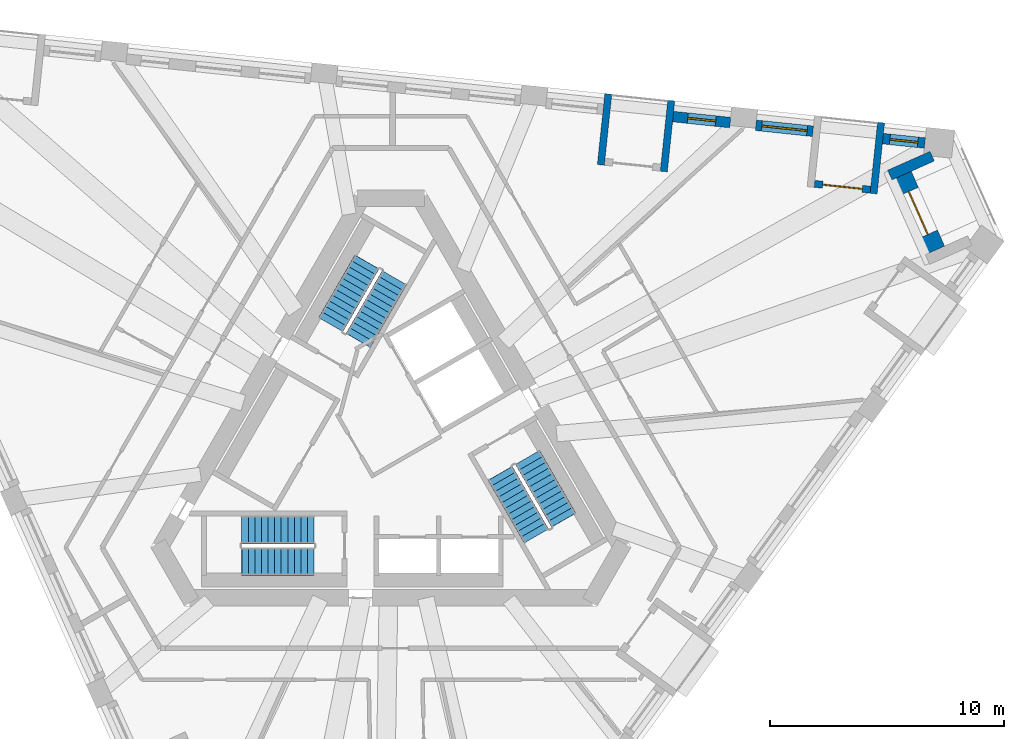
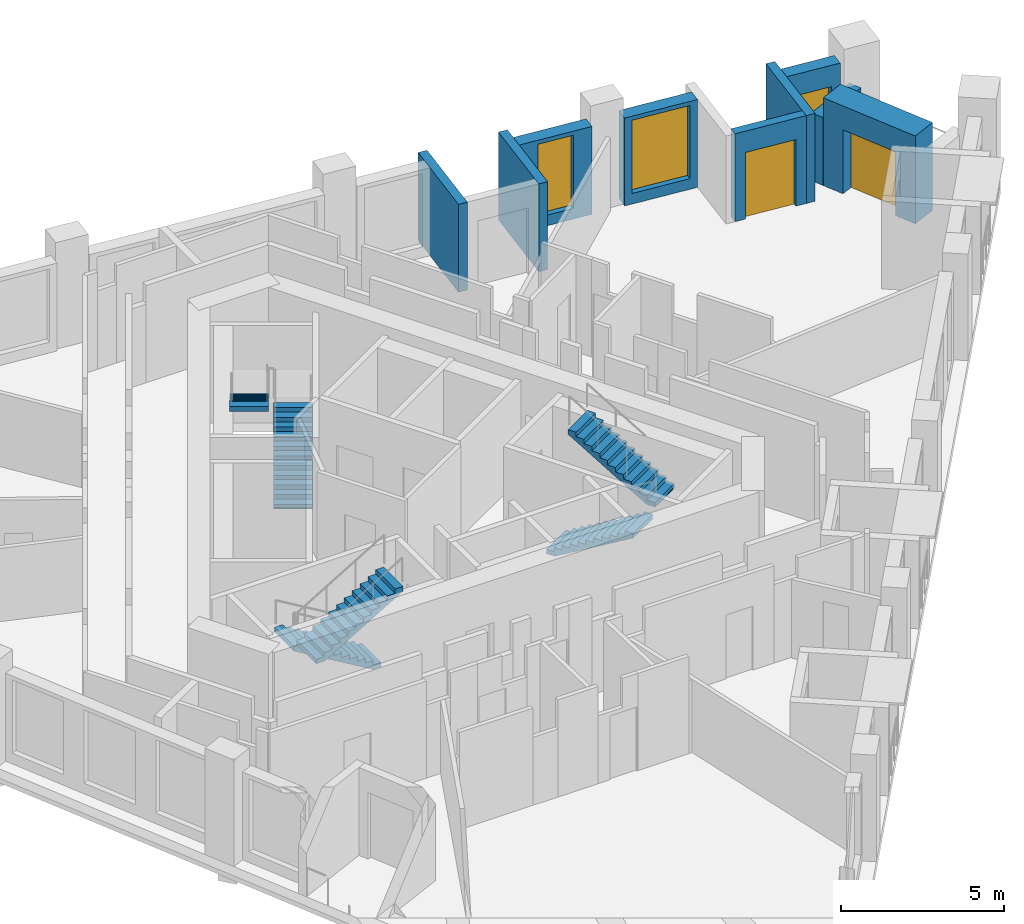
# One storey, part 8 of 11: 9 walls, 6 stair flights, 3 windows, 2 doors, 5 openings, 3 elements without a shape of their own.
"""IFC4 building model written with IfcOpenShell, lengths in metres."""

from ifc_helpers import new_model, si_unit, direction, frame, frame_2d, origin, place, context, subcontext, project, spatial, polyline, rectangle, outline, extrude, material, layer, layer_set, type_object, element, fill, aggregate, save


model = new_model("IFC4")

# Units and contexts
model_context = context("Model", 3, precision=1e-05, world=origin(), true_north=direction((0.0, 1.0)))
body_context = subcontext(model_context, "Body", "Model", "MODEL_VIEW")
ifc_project = project(units=[si_unit("LENGTHUNIT", "METRE"), si_unit("AREAUNIT", "SQUARE_METRE"), si_unit("VOLUMEUNIT", "CUBIC_METRE"), si_unit("PLANEANGLEUNIT", "RADIAN"), si_unit("MASSUNIT", "GRAM", prefix="KILO")], contexts=[model_context])

# Site, building, storey
site_placement = place(None, origin())
site = spatial("IfcSite", under=ifc_project, at=site_placement, CompositionType="ELEMENT")
building_placement = place(site_placement, origin())
building = spatial("IfcBuilding", under=site, at=building_placement, Name="Tramontana Tower", CompositionType="ELEMENT")
storey_placement = place(building_placement, frame((0.0, 0.0, 245.199951171875)))
storey = spatial("IfcBuildingStorey", under=building, at=storey_placement, Name="L57", CompositionType="ELEMENT", Elevation=245.199951171875)

# Wall, opening, window
ifc_material_1 = material(Name="Precast concrete 60 MPa", Category="concrete")
ifc_layer_1 = layer(ifc_material_1, 0.449951171875)
ifc_layer_set_1 = layer_set([ifc_layer_1], Name="Precast concrete 60 MPa, 450 mm")
wall_type_1 = type_object("IfcWallType", Name="EW1 Stone-faced precast wall 450", PredefinedType="SOLIDWALL", material=ifc_layer_set_1)
wall_1_placement = place(storey_placement, frame((22.8017578125, 13.012939453125, 0.0), z_axis=(0.0, 0.0, 1.0), x_axis=(-0.994529922737, 0.104452059724, 0.0)))
wall_1 = element("IfcWall", 1, at=wall_1_placement, inside=storey, type_object=wall_type_1, Name="External wall L57 face 2 bay 1", PredefinedType="SOLIDWALL", context=body_context, shape_type="SweptSolid", body=[
    extrude(rectangle(XDim=1.802001953125, YDim=0.449951171875, at=frame_2d((0.90087890625, 0.0))), origin(), (0.0, 0.0, 1.0), 3.300048828125),
])
opening_1_placement = place(wall_1_placement, frame((0.301025390625, 0.0, 0.39990234375)))
opening_1 = element("IfcOpeningElement", 2, at=opening_1_placement, cuts=wall_1, Name="Opening N3L", PredefinedType="OPENING", context=body_context, shape_type="SweptSolid", body=[
    extrude(rectangle(XDim=1.199951171875, YDim=2.10009765625, at=frame_2d((0.60009765625, 1.050048828125))), frame((0.0, 0.23486328125, 0.0), z_axis=(0.0, -1.0, 0.0), x_axis=(1.0, 0.0, 0.0)), (0.0, 0.0, 1.0), 0.469970703125),
])
ifc_material_2 = material(Name="Aluminum frame, double glazing unit", Category="aluminium")
window_type_1 = type_object("IfcWindowType", Name="N3L Window 1.2 x 2.1", PartitioningType="SINGLE_PANEL", PredefinedType="WINDOW", material=ifc_material_2)
window_1_placement = place(opening_1_placement, origin())
window_1 = element("IfcWindow", 3, at=window_1_placement, inside=storey, type_object=window_type_1, Name="Window N3L L57 face 2 module 1", OverallHeight=2.10009765625, OverallWidth=1.199951171875, PartitioningType="SINGLE_PANEL", PredefinedType="WINDOW", context=body_context, shape_type="SweptSolid", body=[
    extrude(rectangle(XDim=1.199951171875, YDim=2.10009765625, at=frame_2d((0.60009765625, 1.050048828125))), frame((0.0, 0.030029296875, 0.0), z_axis=(0.0, -1.0, 0.0), x_axis=(1.0, 0.0, 0.0)), (0.0, 0.0, 1.0), 0.06005859375),
])
fill(opening_1, window_1)

wall_2_placement = place(storey_placement, frame((18.023681640625, 13.51513671875, 0.0), z_axis=(0.0, 0.0, 1.0), x_axis=(-0.994520717537, 0.104539668977, 0.0)))
wall_2 = element("IfcWall", 4, at=wall_2_placement, inside=storey, type_object=wall_type_1, Name="External wall L57 face 2 bay 1", PredefinedType="SOLIDWALL", context=body_context, shape_type="SweptSolid", body=[
    extrude(rectangle(XDim=2.4521484375, YDim=0.449951171875, at=frame_2d((1.22607421875, 0.0))), origin(), (0.0, 0.0, 1.0), 3.300048828125),
])
opening_2_placement = place(wall_2_placement, frame((0.251220703125, 0.0, 0.39990234375)))
opening_2 = element("IfcOpeningElement", 5, at=opening_2_placement, cuts=wall_2, Name="Opening M3", PredefinedType="OPENING", context=body_context, shape_type="SweptSolid", body=[
    extrude(rectangle(XDim=1.949951171875, YDim=2.75, at=frame_2d((0.97509765625, 1.375))), frame((0.0, 0.23486328125, 0.0), z_axis=(0.0, -1.0, 0.0), x_axis=(1.0, 0.0, 0.0)), (0.0, 0.0, 1.0), 0.469970703125),
])
ifc_material_3 = material(Name="Aluminum frame, double glazing unit", Category="aluminium")
window_type_2 = type_object("IfcWindowType", Name="M3 Window 1.95 x 2.75", PartitioningType="SINGLE_PANEL", PredefinedType="WINDOW", material=ifc_material_3)
window_2_placement = place(opening_2_placement, origin())
window_2 = element("IfcWindow", 6, at=window_2_placement, inside=storey, type_object=window_type_2, Name="Window M3 L57 face 2 module 3", OverallHeight=2.75, OverallWidth=1.949951171875, PartitioningType="SINGLE_PANEL", PredefinedType="WINDOW", context=body_context, shape_type="SweptSolid", body=[
    extrude(rectangle(XDim=1.949951171875, YDim=2.75, at=frame_2d((0.97509765625, 1.375))), frame((0.0, 0.030029296875, 0.0), z_axis=(0.0, -1.0, 0.0), x_axis=(1.0, 0.0, 0.0)), (0.0, 0.0, 1.0), 0.06005859375),
])
fill(opening_2, window_2)

wall_3_placement = place(storey_placement, frame((14.490966796875, 13.886474609375, 0.0), z_axis=(0.0, 0.0, 1.0), x_axis=(-0.99453214974, 0.104430853361, 0.0)))
wall_3 = element("IfcWall", 7, at=wall_3_placement, inside=storey, type_object=wall_type_1, Name="External wall L57 face 2 bay 2", PredefinedType="SOLIDWALL", context=body_context, shape_type="SweptSolid", body=[
    extrude(rectangle(XDim=2.452392578125, YDim=0.449951171875, at=frame_2d((1.22607421875, 0.0))), origin(), (0.0, 0.0, 1.0), 3.300048828125),
])
opening_3_placement = place(wall_3_placement, frame((0.626220703125, 0.0, 0.39990234375)))
opening_3 = element("IfcOpeningElement", 8, at=opening_3_placement, cuts=wall_3, Name="Opening N3", PredefinedType="OPENING", context=body_context, shape_type="SweptSolid", body=[
    extrude(rectangle(XDim=1.199951171875, YDim=2.75, at=frame_2d((0.60009765625, 1.375))), frame((0.0, 0.23486328125, 0.0), z_axis=(0.0, -1.0, 0.0), x_axis=(1.0, 0.0, 0.0)), (0.0, 0.0, 1.0), 0.469970703125),
])
ifc_material_4 = material(Name="Aluminum frame, double glazing unit", Category="aluminium")
window_type_3 = type_object("IfcWindowType", Name="N3 Window 1.2 x 2.75", PartitioningType="SINGLE_PANEL", PredefinedType="WINDOW", material=ifc_material_4)
window_3_placement = place(opening_3_placement, origin())
window_3 = element("IfcWindow", 9, at=window_3_placement, inside=storey, type_object=window_type_3, Name="Window N3 L57 face 2 module 4", OverallHeight=2.75, OverallWidth=1.199951171875, PartitioningType="SINGLE_PANEL", PredefinedType="WINDOW", context=body_context, shape_type="SweptSolid", body=[
    extrude(rectangle(XDim=1.199951171875, YDim=2.75, at=frame_2d((0.60009765625, 1.375))), frame((0.0, 0.030029296875, 0.0), z_axis=(0.0, -1.0, 0.0), x_axis=(1.0, 0.0, 0.0)), (0.0, 0.0, 1.0), 0.06005859375),
])
fill(opening_3, window_3)

# Wall
wall_4_placement = place(storey_placement, frame((23.112548828125, 12.452392578125, 0.0), z_axis=(0.0, 0.0, 1.0), x_axis=(-0.913516289312, -0.406802149899, 0.0)))
element("IfcWall", 10, at=wall_4_placement, inside=storey, type_object=wall_type_1, Name="Corner loggia side wall L57 K62l", PredefinedType="SOLIDWALL", context=body_context, shape_type="SweptSolid", body=[
    extrude(rectangle(XDim=1.979248046875, YDim=0.449951171875, at=frame_2d((0.98974609375, 0.0))), origin(), (0.0, 0.0, 1.0), 2.550048828125),
])

# Wall, opening, door
ifc_material_5 = material(Name="Precast concrete 60 MPa", Category="concrete")
ifc_layer_2 = layer(ifc_material_5, 0.89990234375)
ifc_layer_set_2 = layer_set([ifc_layer_2], Name="EW2 Stone-faced corner loggia wall 900")
wall_type_2 = type_object("IfcWallType", Name="EW2 Stone-faced corner loggia wall 900", PredefinedType="SOLIDWALL", material=ifc_layer_set_2)
wall_5_placement = place(storey_placement, frame((21.80712890625, 11.624755859375, 0.0), z_axis=(0.0, 0.0, 1.0), x_axis=(0.406727323635, -0.913549606868, 0.0)))
wall_5 = element("IfcWall", 11, at=wall_5_placement, inside=storey, type_object=wall_type_2, Name="Corner loggia wall L57 K62", PredefinedType="SOLIDWALL", context=body_context, shape_type="SweptSolid", body=[
    extrude(rectangle(XDim=3.5, YDim=0.89990234375, at=frame_2d((1.75, 0.0))), origin(), (0.0, 0.0, 1.0), 3.300048828125),
])
opening_4_placement = place(wall_5_placement, frame((0.75, 0.0, 0.0)))
opening_4 = element("IfcOpeningElement", 12, at=opening_4_placement, cuts=wall_5, Name="Opening BD-62C", PredefinedType="OPENING", context=body_context, shape_type="SweptSolid", body=[
    extrude(rectangle(XDim=2.0, YDim=2.39990234375, at=frame_2d((1.0, 1.199951171875))), frame((0.0, 0.4599609375, 0.0), z_axis=(0.0, -1.0, 0.0), x_axis=(1.0, 0.0, 0.0)), (0.0, 0.0, 1.0), 0.919921875),
])
ifc_material_6 = material(Name="Aluminum frame, double glazing unit", Category="aluminium")
door_type_1 = type_object("IfcDoorType", Name="BC1 Sliding door 2 x 2.4", OperationType="SLIDING_TO_LEFT", PredefinedType="DOOR", material=ifc_material_6)
door_1_placement = place(opening_4_placement, origin())
door_1 = element("IfcDoor", 13, at=door_1_placement, inside=storey, type_object=door_type_1, Name="Corner loggia door L57 K62", OperationType="SLIDING_TO_LEFT", OverallHeight=2.39990234375, OverallWidth=2.0, PredefinedType="DOOR", context=body_context, shape_type="SweptSolid", body=[
    extrude(rectangle(XDim=2.0, YDim=2.39990234375, at=frame_2d((1.0, 1.199951171875))), frame((0.0, 0.02490234375, 0.0), z_axis=(0.0, -1.0, 0.0), x_axis=(1.0, 0.0, 0.0)), (0.0, 0.0, 1.0), 0.050048828125),
])
fill(opening_4, door_1)

ifc_material_7 = material(Name="Precast concrete 60 MPa", Category="concrete")
ifc_layer_3 = layer(ifc_material_7, 0.300048828125)
ifc_layer_set_3 = layer_set([ifc_layer_3], Name="LW1 Stone-faced loggia wall 300")
wall_type_3 = type_object("IfcWallType", Name="LW1 Stone-faced loggia wall 300", PredefinedType="SOLIDWALL", material=ifc_layer_set_3)
wall_6_placement = place(storey_placement, frame((20.478515625, 11.019775390625, 0.0), z_axis=(0.0, 0.0, 1.0), x_axis=(-0.994517140727, 0.104573690763, 0.0)))
wall_6 = element("IfcWall", 14, at=wall_6_placement, inside=storey, type_object=wall_type_3, Name="Loggia wall L57 G6S2.1", PredefinedType="SOLIDWALL", context=body_context, shape_type="SweptSolid", body=[
    extrude(rectangle(XDim=2.40234375, YDim=0.300048828125, at=frame_2d((1.201171875, 0.0))), origin(), (0.0, 0.0, 1.0), 3.300048828125),
])
opening_5_placement = place(wall_6_placement, frame((0.35107421875, 0.0, 0.0)))
opening_5 = element("IfcOpeningElement", 15, at=opening_5_placement, cuts=wall_6, Name="Opening BD-6S2-01", PredefinedType="OPENING", context=body_context, shape_type="SweptSolid", body=[
    extrude(rectangle(XDim=1.699951171875, YDim=2.5, at=frame_2d((0.85009765625, 1.25))), frame((0.0, 0.159912109375, 0.0), z_axis=(0.0, -1.0, 0.0), x_axis=(1.0, 0.0, 0.0)), (0.0, 0.0, 1.0), 0.320068359375),
])
ifc_material_8 = material(Name="Aluminum frame, double glazing unit", Category="aluminium")
door_type_2 = type_object("IfcDoorType", Name="BD3 Sliding door 1.7 x 2.5", OperationType="SLIDING_TO_LEFT", PredefinedType="DOOR", material=ifc_material_8)
door_2_placement = place(opening_5_placement, origin())
door_2 = element("IfcDoor", 16, at=door_2_placement, inside=storey, type_object=door_type_2, Name="Loggia door L57 G6S2.1", OperationType="SLIDING_TO_LEFT", OverallHeight=2.5, OverallWidth=1.699951171875, PredefinedType="DOOR", context=body_context, shape_type="SweptSolid", body=[
    extrude(rectangle(XDim=1.699951171875, YDim=2.5, at=frame_2d((0.85009765625, 1.25))), frame((0.0, 0.02490234375, 0.0), z_axis=(0.0, -1.0, 0.0), x_axis=(1.0, 0.0, 0.0)), (0.0, 0.0, 1.0), 0.050048828125),
])
fill(opening_5, door_2)

# Walls
for number, where, z_axis, x_axis, name in (
    (17, (20.930908203125, 13.88818359375, 0.0), (0.0, 0.0, 1.0), (-0.104543108891, -0.994520355942, 0.0), "Loggia return L57 G6S2.1a"),
    (18, (11.973388671875, 14.82958984375, 0.0), (0.0, 0.0, 1.0), (-0.104463934444, -0.994528675504, 0.0), "Loggia return L57 G6S2.4a"),
    (19, (9.2861328125, 15.112060546875, 0.0), (0.0, 0.0, 1.0), (-0.104543108891, -0.994520355942, 0.0), "Loggia return L57 G6S2.4b"),
):
    element("IfcWall", number, at=place(storey_placement, frame(where, z_axis=z_axis, x_axis=x_axis)), inside=storey, type_object=wall_type_3, Name=name, PredefinedType="SOLIDWALL", context=body_context, shape_type="SweptSolid", body=[
        extrude(rectangle(XDim=3.0498046875, YDim=0.300048828125, at=frame_2d((1.52490234375, 0.0))), origin(), (0.0, 0.0, 1.0), 3.300048828125),
    ])

# Stair, stair flights
ifc_material_9 = material(Name="Concrete 40 MPa", Category="concrete")
stair_type = type_object("IfcStairType", Name="EXIT STAIR 24 RISERS", PredefinedType="HALF_TURN_STAIR", material=ifc_material_9)
stair_1_placement = place(storey_placement, origin())
stair_1 = element("IfcStair", 20, at=stair_1_placement, inside=storey, type_object=stair_type, Name="L57 Exit stair ST1", PredefinedType="HALF_TURN_STAIR")
ifc_material_10 = material(Name="Concrete 40 MPa", Category="concrete")
ifc_layer_4 = layer(ifc_material_10, 0.14990234375)
ifc_layer_set_4 = layer_set([ifc_layer_4], Name="EXIT STAIR FLIGHT")
stair_flight_type = type_object("IfcStairFlightType", Name="EXIT STAIR FLIGHT", PredefinedType="STRAIGHT", material=ifc_layer_set_4)
stair_flight_1_placement = place(storey_placement, frame((-1.39111328125, 4.590576171875, 0.0), z_axis=(0.0, 0.0, 1.0), x_axis=(0.5, 0.866025403784, 0.0)))
stair_flight_1 = element("IfcStairFlight", 21, at=stair_flight_1_placement, type_object=stair_flight_type, Name="ST1 flight 1", NumberOfRisers=12, NumberOfTreads=11, PredefinedType="STRAIGHT", RiserHeight=0.166666667, TreadLength=0.28, context=body_context, shape_type="SweptSolid", body=[
    extrude(outline(polyline([(-0.006103515625, 0.0), (-0.006103515625, 0.0400390625), (0.0, 0.0400390625), (0.0, 0.166748046875), (0.280029296875, 0.166748046875), (0.280029296875, 0.333251953125), (0.56005859375, 0.333251953125), (0.56005859375, 0.5), (0.840087890625, 0.5), (0.840087890625, 0.666748046875), (1.1201171875, 0.666748046875), (1.1201171875, 0.833251953125), (1.39990234375, 0.833251953125), (1.39990234375, 1.0), (1.679931640625, 1.0), (1.679931640625, 1.166748046875), (1.9599609375, 1.166748046875), (1.9599609375, 1.333251953125), (2.239990234375, 1.333251953125), (2.239990234375, 1.5), (2.52001953125, 1.5), (2.52001953125, 1.666748046875), (2.800048828125, 1.666748046875), (2.800048828125, 1.833251953125), (3.080078125, 1.833251953125), (3.0859375, 1.833251953125), (3.0859375, 1.658935546875), (0.299072265625, 0.0), (-0.006103515625, 0.0)])), frame((0.0, 0.60009765625, 0.0), z_axis=(0.0, -1.0, 0.0), x_axis=(1.0, 0.0, 0.0)), (0.0, 0.0, 1.0), 1.199951171875),
])
stair_flight_2_placement = place(storey_placement, frame((-1.020263671875, 7.932861328125, 2.0), z_axis=(0.0, 0.0, 1.0), x_axis=(-0.5, -0.866025403784, 0.0)))
stair_flight_2 = element("IfcStairFlight", 22, at=stair_flight_2_placement, type_object=stair_flight_type, Name="ST1 flight 2", NumberOfRisers=12, NumberOfTreads=11, PredefinedType="STRAIGHT", RiserHeight=0.166666667, TreadLength=0.28, context=body_context, shape_type="SweptSolid", body=[
    extrude(outline(polyline([(-0.006103515625, 0.0), (-0.006103515625, 0.0400390625), (0.0, 0.0400390625), (0.0, 0.166748046875), (0.280029296875, 0.166748046875), (0.280029296875, 0.333251953125), (0.56005859375, 0.333251953125), (0.56005859375, 0.5), (0.840087890625, 0.5), (0.840087890625, 0.666748046875), (1.1201171875, 0.666748046875), (1.1201171875, 0.833251953125), (1.39990234375, 0.833251953125), (1.39990234375, 1.0), (1.679931640625, 1.0), (1.679931640625, 1.166748046875), (1.9599609375, 1.166748046875), (1.9599609375, 1.333251953125), (2.239990234375, 1.333251953125), (2.239990234375, 1.5), (2.52001953125, 1.5), (2.52001953125, 1.666748046875), (2.800048828125, 1.666748046875), (2.800048828125, 1.833251953125), (3.080078125, 1.833251953125), (3.0859375, 1.833251953125), (3.0859375, 1.658935546875), (0.299072265625, 0.0), (-0.006103515625, 0.0)])), frame((0.0, 0.60009765625, 0.0), z_axis=(0.0, -1.0, 0.0), x_axis=(1.0, 0.0, 0.0)), (0.0, 0.0, 1.0), 1.199951171875),
])
aggregate(stair_1, [stair_flight_1, stair_flight_2])

stair_2_placement = place(storey_placement, origin())
stair_2 = element("IfcStair", 23, at=stair_2_placement, inside=storey, type_object=stair_type, Name="L57 Exit stair ST2", PredefinedType="HALF_TURN_STAIR")
stair_flight_3_placement = place(storey_placement, frame((-3.280029296875, -3.5, 0.0), z_axis=(0.0, 0.0, 1.0), x_axis=(-1.0, 0.0, 0.0)))
stair_flight_3 = element("IfcStairFlight", 24, at=stair_flight_3_placement, type_object=stair_flight_type, Name="ST2 flight 1", NumberOfRisers=12, NumberOfTreads=11, PredefinedType="STRAIGHT", RiserHeight=0.166666667, TreadLength=0.28, context=body_context, shape_type="SweptSolid", body=[
    extrude(outline(polyline([(-0.006103515625, 0.0), (-0.006103515625, 0.0400390625), (0.0, 0.0400390625), (0.0, 0.166748046875), (0.280029296875, 0.166748046875), (0.280029296875, 0.333251953125), (0.56005859375, 0.333251953125), (0.56005859375, 0.5), (0.840087890625, 0.5), (0.840087890625, 0.666748046875), (1.1201171875, 0.666748046875), (1.1201171875, 0.833251953125), (1.39990234375, 0.833251953125), (1.39990234375, 1.0), (1.679931640625, 1.0), (1.679931640625, 1.166748046875), (1.9599609375, 1.166748046875), (1.9599609375, 1.333251953125), (2.239990234375, 1.333251953125), (2.239990234375, 1.5), (2.52001953125, 1.5), (2.52001953125, 1.666748046875), (2.800048828125, 1.666748046875), (2.800048828125, 1.833251953125), (3.080078125, 1.833251953125), (3.0859375, 1.833251953125), (3.0859375, 1.658935546875), (0.299072265625, 0.0), (-0.006103515625, 0.0)])), frame((0.0, 0.60009765625, 0.0), z_axis=(0.0, -1.0, 0.0), x_axis=(1.0, 0.0, 0.0)), (0.0, 0.0, 1.0), 1.199951171875),
])
stair_flight_4_placement = place(storey_placement, frame((-6.360107421875, -4.85009765625, 2.0), z_axis=(0.0, 0.0, 1.0), x_axis=(1.0, 0.0, 0.0)))
stair_flight_4 = element("IfcStairFlight", 25, at=stair_flight_4_placement, type_object=stair_flight_type, Name="ST2 flight 2", NumberOfRisers=12, NumberOfTreads=11, PredefinedType="STRAIGHT", RiserHeight=0.166666667, TreadLength=0.28, context=body_context, shape_type="SweptSolid", body=[
    extrude(outline(polyline([(-0.006103515625, 0.0), (-0.006103515625, 0.0400390625), (0.0, 0.0400390625), (0.0, 0.166748046875), (0.280029296875, 0.166748046875), (0.280029296875, 0.333251953125), (0.56005859375, 0.333251953125), (0.56005859375, 0.5), (0.840087890625, 0.5), (0.840087890625, 0.666748046875), (1.1201171875, 0.666748046875), (1.1201171875, 0.833251953125), (1.39990234375, 0.833251953125), (1.39990234375, 1.0), (1.679931640625, 1.0), (1.679931640625, 1.166748046875), (1.9599609375, 1.166748046875), (1.9599609375, 1.333251953125), (2.239990234375, 1.333251953125), (2.239990234375, 1.5), (2.52001953125, 1.5), (2.52001953125, 1.666748046875), (2.800048828125, 1.666748046875), (2.800048828125, 1.833251953125), (3.080078125, 1.833251953125), (3.0859375, 1.833251953125), (3.0859375, 1.658935546875), (0.299072265625, 0.0), (-0.006103515625, 0.0)])), frame((0.0, 0.60009765625, 0.0), z_axis=(0.0, -1.0, 0.0), x_axis=(1.0, 0.0, 0.0)), (0.0, 0.0, 1.0), 1.199951171875),
])
aggregate(stair_2, [stair_flight_3, stair_flight_4])

stair_3_placement = place(storey_placement, origin())
stair_3 = element("IfcStair", 26, at=stair_3_placement, inside=storey, type_object=stair_type, Name="L57 Exit stair ST3", PredefinedType="HALF_TURN_STAIR")
stair_flight_5_placement = place(storey_placement, frame((4.671142578125, -1.090576171875, 0.0), z_axis=(0.0, 0.0, 1.0), x_axis=(0.5, -0.866025403784, 0.0)))
stair_flight_5 = element("IfcStairFlight", 27, at=stair_flight_5_placement, type_object=stair_flight_type, Name="ST3 flight 1", NumberOfRisers=12, NumberOfTreads=11, PredefinedType="STRAIGHT", RiserHeight=0.166666667, TreadLength=0.28, context=body_context, shape_type="SweptSolid", body=[
    extrude(outline(polyline([(-0.006103515625, 0.0), (-0.006103515625, 0.0400390625), (0.0, 0.0400390625), (0.0, 0.166748046875), (0.280029296875, 0.166748046875), (0.280029296875, 0.333251953125), (0.56005859375, 0.333251953125), (0.56005859375, 0.5), (0.840087890625, 0.5), (0.840087890625, 0.666748046875), (1.1201171875, 0.666748046875), (1.1201171875, 0.833251953125), (1.39990234375, 0.833251953125), (1.39990234375, 1.0), (1.679931640625, 1.0), (1.679931640625, 1.166748046875), (1.9599609375, 1.166748046875), (1.9599609375, 1.333251953125), (2.239990234375, 1.333251953125), (2.239990234375, 1.5), (2.52001953125, 1.5), (2.52001953125, 1.666748046875), (2.800048828125, 1.666748046875), (2.800048828125, 1.833251953125), (3.080078125, 1.833251953125), (3.0859375, 1.833251953125), (3.0859375, 1.658935546875), (0.299072265625, 0.0), (-0.006103515625, 0.0)])), frame((0.0, 0.60009765625, 0.0), z_axis=(0.0, -1.0, 0.0), x_axis=(1.0, 0.0, 0.0)), (0.0, 0.0, 1.0), 1.199951171875),
])
stair_flight_6_placement = place(storey_placement, frame((7.380126953125, -3.0830078125, 2.0), z_axis=(0.0, 0.0, 1.0), x_axis=(-0.5, 0.866025403784, 0.0)))
stair_flight_6 = element("IfcStairFlight", 28, at=stair_flight_6_placement, type_object=stair_flight_type, Name="ST3 flight 2", NumberOfRisers=12, NumberOfTreads=11, PredefinedType="STRAIGHT", RiserHeight=0.166666667, TreadLength=0.28, context=body_context, shape_type="SweptSolid", body=[
    extrude(outline(polyline([(-0.006103515625, 0.0), (-0.006103515625, 0.0400390625), (0.0, 0.0400390625), (0.0, 0.166748046875), (0.280029296875, 0.166748046875), (0.280029296875, 0.333251953125), (0.56005859375, 0.333251953125), (0.56005859375, 0.5), (0.840087890625, 0.5), (0.840087890625, 0.666748046875), (1.1201171875, 0.666748046875), (1.1201171875, 0.833251953125), (1.39990234375, 0.833251953125), (1.39990234375, 1.0), (1.679931640625, 1.0), (1.679931640625, 1.166748046875), (1.9599609375, 1.166748046875), (1.9599609375, 1.333251953125), (2.239990234375, 1.333251953125), (2.239990234375, 1.5), (2.52001953125, 1.5), (2.52001953125, 1.666748046875), (2.800048828125, 1.666748046875), (2.800048828125, 1.833251953125), (3.080078125, 1.833251953125), (3.0859375, 1.833251953125), (3.0859375, 1.658935546875), (0.299072265625, 0.0), (-0.006103515625, 0.0)])), frame((0.0, 0.60009765625, 0.0), z_axis=(0.0, -1.0, 0.0), x_axis=(1.0, 0.0, 0.0)), (0.0, 0.0, 1.0), 1.199951171875),
])
aggregate(stair_3, [stair_flight_5, stair_flight_6])

save(model, "model.ifc")
